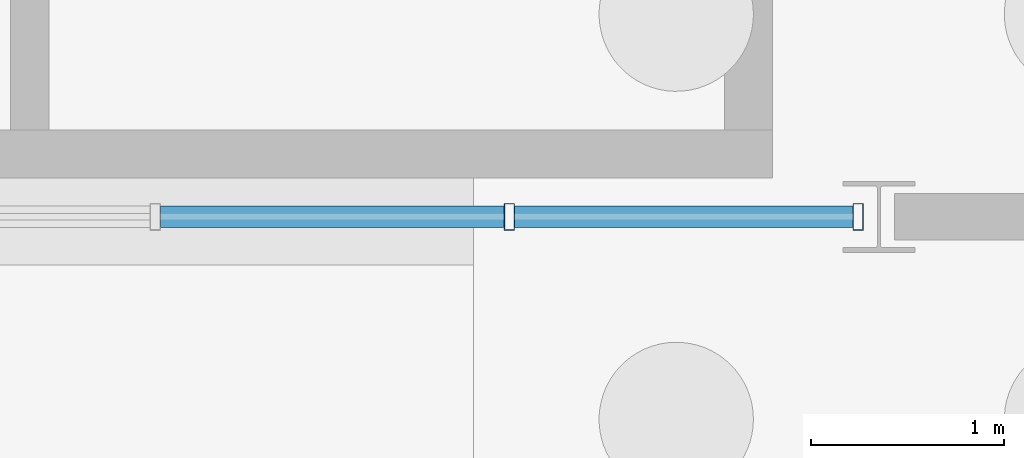
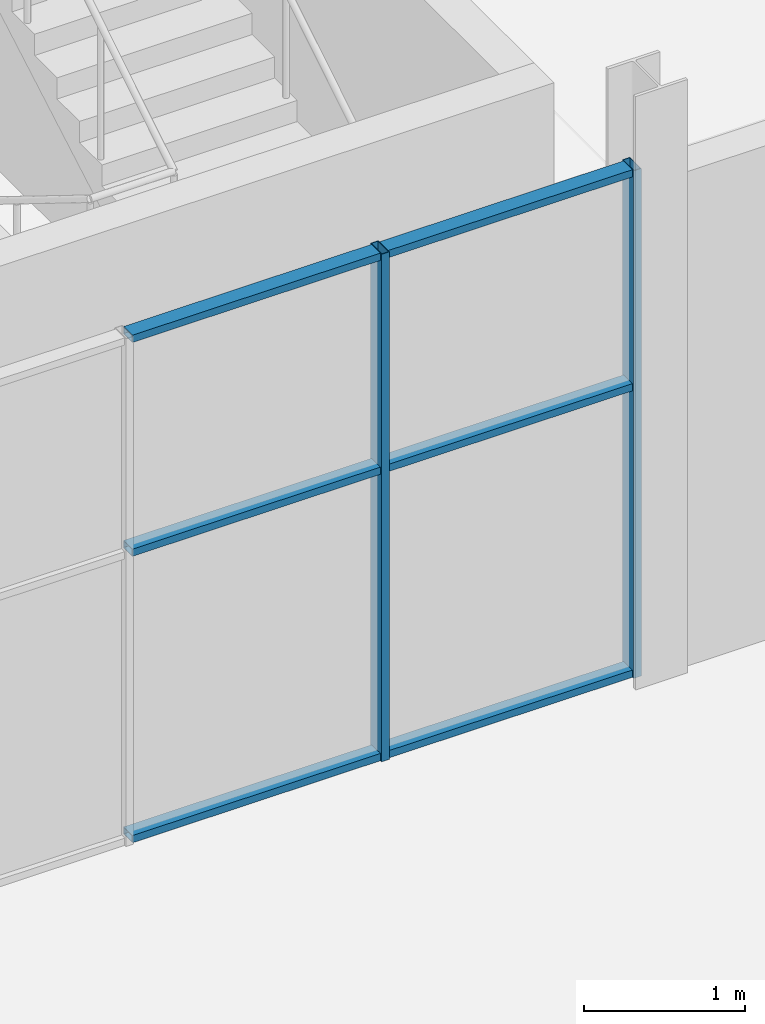
# One storey, part 71 of 136: 8 members, 1 element without a shape of its own.
"""IFC4 building model written with IfcOpenShell, lengths in metres."""

from ifc_helpers import new_model, si_unit, direction, frame, origin, origin_2d, place, context, subcontext, project, spatial, hollow_rectangle, extrude, material, layer, layer_set, material_profile, profile_set, type_object, element, aggregate, save


model = new_model("IFC4")

# Units and contexts
model_context = context("Model", 3, precision=1e-05, world=origin(), true_north=direction((0.0, 1.0)))
body_context = subcontext(model_context, "Body", "Model", "MODEL_VIEW")
ifc_project = project(units=[si_unit("LENGTHUNIT", "METRE"), si_unit("AREAUNIT", "SQUARE_METRE"), si_unit("VOLUMEUNIT", "CUBIC_METRE"), si_unit("PLANEANGLEUNIT", "RADIAN"), si_unit("MASSUNIT", "GRAM", prefix="KILO")], contexts=[model_context])

# Site, building, storey
site_placement = place(None, origin())
site = spatial("IfcSite", under=ifc_project, at=site_placement, CompositionType="ELEMENT")
building_placement = place(site_placement, origin())
building = spatial("IfcBuilding", under=site, at=building_placement, Name="Solvenia Promenade Tram Depot", CompositionType="ELEMENT")
storey_placement = place(building_placement, origin())
storey = spatial("IfcBuildingStorey", under=building, at=storey_placement, Name="L00", CompositionType="ELEMENT", Elevation=0.0)

# Curtain wall, members
ifc_material = material(Name="Anodized aluminium AW-6063 T6", Category="aluminium")
ifc_layer = layer(ifc_material, 0.179931640625, Name="Anodized aluminium AW-6063 T6", Category="aluminium")
ifc_layer_set = layer_set([ifc_layer], Name="Anodized aluminium AW-6063 T6")
curtain_wall_type = type_object("IfcCurtainWallType", Name="CW-Prom-1800", PredefinedType="NOTDEFINED", material=ifc_layer_set)
curtain_wall_placement = place(storey_placement, origin())
curtain_wall = element("IfcCurtainWall", 1, at=curtain_wall_placement, inside=storey, type_object=curtain_wall_type, Name="Curtain Wall CW-V5S-L0-02", PredefinedType="NOTDEFINED")
ifc_material_profile_1 = material_profile(ifc_material, hollow_rectangle(XDim=0.139892578125, YDim=0.054931640625, WallThickness=0.00390625, at=origin_2d()), Name="ALU-M4", Category="aluminium")
ifc_profile_set_1 = profile_set([ifc_material_profile_1], Name="Anodized aluminium AW-6063 T6")
member_type_1 = type_object("IfcMemberType", Name="CWM-Mullion-4", PredefinedType="MULLION", material=ifc_profile_set_1)
member_1_placement = place(storey_placement, frame((148.0849609375, 8.0, 0.0), z_axis=(0.0, 0.0, 1.0), x_axis=(0.0, 1.0, 0.0)))
member_1 = element("IfcMember", 2, at=member_1_placement, type_object=member_type_1, Name="CW-9 mullion 4", PredefinedType="MULLION", context=body_context, shape_type="SweptSolid", body=[
    extrude(hollow_rectangle(XDim=0.139892578125, YDim=0.054931640625, WallThickness=0.00390625, at=origin_2d()), origin(), (0.0, 0.0, 1.0), 3.85009765625),
])
member_2_placement = place(storey_placement, frame((149.892578125, 8.0, 0.0), z_axis=(0.0, 0.0, 1.0), x_axis=(0.0, 1.0, 0.0)))
member_2 = element("IfcMember", 3, at=member_2_placement, type_object=member_type_1, Name="CW-9 mullion 5", PredefinedType="MULLION", context=body_context, shape_type="SweptSolid", body=[
    extrude(hollow_rectangle(XDim=0.139892578125, YDim=0.054931640625, WallThickness=0.00390625, at=origin_2d()), origin(), (0.0, 0.0, 1.0), 3.85009765625),
])
ifc_material_profile_2 = material_profile(ifc_material, hollow_rectangle(XDim=0.110107421875, YDim=0.054931640625, WallThickness=0.00390625, at=origin_2d()), Name="ALU-T4", Category="aluminium")
ifc_profile_set_2 = profile_set([ifc_material_profile_2], Name="Anodized aluminium AW-6063 T6")
member_type_2 = type_object("IfcMemberType", Name="CWT-Transom-4", PredefinedType="USERDEFINED", material=ifc_profile_set_2)
member_3_placement = place(storey_placement, frame((146.277587890625, 8.0, 0.027587890625), z_axis=(1.0, 0.0, 0.0), x_axis=(0.0, 1.0, 0.0)))
member_3 = element("IfcMember", 4, at=member_3_placement, type_object=member_type_2, Name="CW-9 transom 3.1", ObjectType="TRANSOM", PredefinedType="USERDEFINED", context=body_context, shape_type="SweptSolid", body=[
    extrude(hollow_rectangle(XDim=0.110107421875, YDim=0.054931640625, WallThickness=0.00390625, at=origin_2d()), origin(), (0.0, 0.0, 1.0), 1.780029296875),
])
member_4_placement = place(storey_placement, frame((146.277587890625, 8.0, 2.199951171875), z_axis=(1.0, 0.0, 0.0), x_axis=(0.0, 1.0, 0.0)))
member_4 = element("IfcMember", 5, at=member_4_placement, type_object=member_type_2, Name="CW-9 transom 3.2", ObjectType="TRANSOM", PredefinedType="USERDEFINED", context=body_context, shape_type="SweptSolid", body=[
    extrude(hollow_rectangle(XDim=0.110107421875, YDim=0.054931640625, WallThickness=0.00390625, at=origin_2d()), origin(), (0.0, 0.0, 1.0), 1.780029296875),
])
member_5_placement = place(storey_placement, frame((146.277587890625, 8.0, 3.822509765625), z_axis=(1.0, 0.0, 0.0), x_axis=(0.0, 1.0, 0.0)))
member_5 = element("IfcMember", 6, at=member_5_placement, type_object=member_type_2, Name="CW-9 transom 3.3", ObjectType="TRANSOM", PredefinedType="USERDEFINED", context=body_context, shape_type="SweptSolid", body=[
    extrude(hollow_rectangle(XDim=0.110107421875, YDim=0.054931640625, WallThickness=0.00390625, at=origin_2d()), origin(), (0.0, 0.0, 1.0), 1.780029296875),
])
member_6_placement = place(storey_placement, frame((148.112548828125, 8.0, 0.027587890625), z_axis=(1.0, 0.0, 0.0), x_axis=(0.0, 1.0, 0.0)))
member_6 = element("IfcMember", 7, at=member_6_placement, type_object=member_type_2, Name="CW-9 transom 4.1", ObjectType="TRANSOM", PredefinedType="USERDEFINED", context=body_context, shape_type="SweptSolid", body=[
    extrude(hollow_rectangle(XDim=0.110107421875, YDim=0.054931640625, WallThickness=0.00390625, at=origin_2d()), origin(), (0.0, 0.0, 1.0), 1.75244140625),
])
member_7_placement = place(storey_placement, frame((148.112548828125, 8.0, 2.199951171875), z_axis=(1.0, 0.0, 0.0), x_axis=(0.0, 1.0, 0.0)))
member_7 = element("IfcMember", 8, at=member_7_placement, type_object=member_type_2, Name="CW-9 transom 4.2", ObjectType="TRANSOM", PredefinedType="USERDEFINED", context=body_context, shape_type="SweptSolid", body=[
    extrude(hollow_rectangle(XDim=0.110107421875, YDim=0.054931640625, WallThickness=0.00390625, at=origin_2d()), origin(), (0.0, 0.0, 1.0), 1.75244140625),
])
member_8_placement = place(storey_placement, frame((148.112548828125, 8.0, 3.822509765625), z_axis=(1.0, 0.0, 0.0), x_axis=(0.0, 1.0, 0.0)))
member_8 = element("IfcMember", 9, at=member_8_placement, type_object=member_type_2, Name="CW-9 transom 4.3", ObjectType="TRANSOM", PredefinedType="USERDEFINED", context=body_context, shape_type="SweptSolid", body=[
    extrude(hollow_rectangle(XDim=0.110107421875, YDim=0.054931640625, WallThickness=0.00390625, at=origin_2d()), origin(), (0.0, 0.0, 1.0), 1.75244140625),
])
aggregate(curtain_wall, [member_1, member_2, member_3, member_4, member_5, member_6, member_7, member_8])

save(model, "model.ifc")
